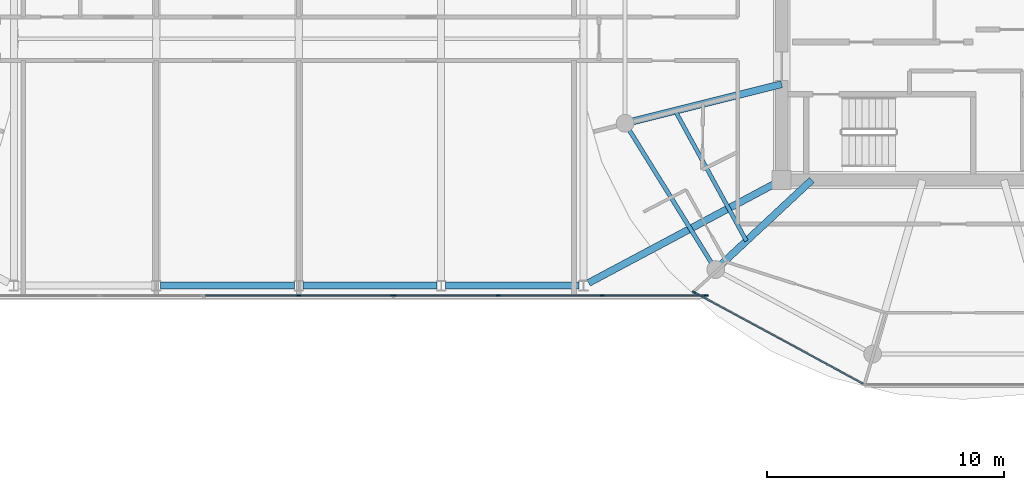
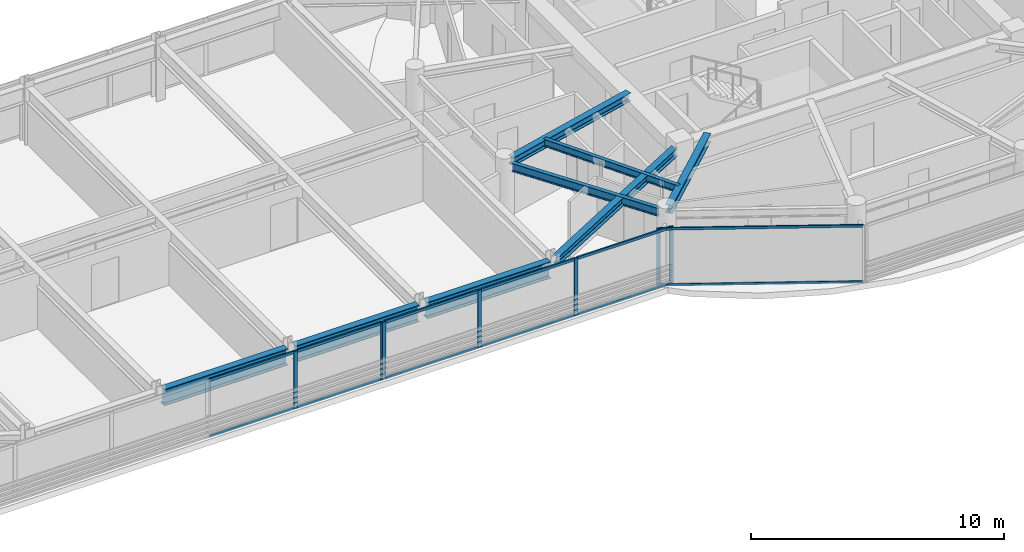
# One storey, part 6 of 23: 19 members, 8 beams, 3 elements without a shape of their own.
"""IFC4 building model written with IfcOpenShell, lengths in metres."""

from ifc_helpers import new_model, si_unit, direction, frame, origin, origin_2d, place, context, subcontext, project, spatial, rectangle, i_section, extrude, source, transform, mapped, material, layer, layer_set, material_profile, profile_set, type_object, type_shapes, element, aggregate, save


model = new_model("IFC4")

# Units and contexts
model_context = context("Model", 3, precision=1e-05, world=origin(), true_north=direction((0.0, 1.0)))
body_context = subcontext(model_context, "Body", "Model", "MODEL_VIEW")
ifc_project = project(units=[si_unit("LENGTHUNIT", "METRE"), si_unit("AREAUNIT", "SQUARE_METRE"), si_unit("VOLUMEUNIT", "CUBIC_METRE"), si_unit("PLANEANGLEUNIT", "RADIAN"), si_unit("MASSUNIT", "GRAM", prefix="KILO")], contexts=[model_context])

# Site, building, storey
site_placement = place(None, origin())
site = spatial("IfcSite", under=ifc_project, at=site_placement, CompositionType="ELEMENT")
building_placement = place(site_placement, origin())
building = spatial("IfcBuilding", under=site, at=building_placement, Name="Norrkilde Senior Care Towers", CompositionType="ELEMENT")
storey_placement = place(building_placement, frame((0.0, 0.0, 220.0)))
storey = spatial("IfcBuildingStorey", under=building, at=storey_placement, Name="L68", CompositionType="ELEMENT", Elevation=220.0)

# Beams
ifc_material_1 = material(Name="Steel S355", Category="steel")
ifc_material_profile_1 = material_profile(ifc_material_1, i_section(OverallWidth=0.179931640625, OverallDepth=0.39990234375, WebThickness=0.008544921875, FlangeThickness=0.013427734375, FilletRadius=0.02099609375, at=origin_2d()), Name="IPE 400")
ifc_profile_set_1 = profile_set([ifc_material_profile_1], Name="Steel S355")
beam_type_1 = type_object("IfcBeamType", Name="Perimeter Ring Spandrel Z4 IPE400", PredefinedType="SPANDREL", material=ifc_profile_set_1)
shared_shape_1 = source(origin(), body_context, "Body", "SweptSolid", [
    extrude(i_section(OverallWidth=0.179931640625, OverallDepth=0.39990234375, WebThickness=0.008544921875, FlangeThickness=0.013427734375, FilletRadius=0.02099609375, at=origin_2d()), origin(), (0.0, 0.0, 1.0), 6.58056640625),
])
type_shapes(beam_type_1, [shared_shape_1])
beam_1_placement = place(storey_placement, frame((13.928955078125, -3.843505859375, 2.56005859375), z_axis=(0.526529583789, -0.850156807533, 0.0), x_axis=(0.850156807533, 0.526529583789, 0.0)))
element("IfcBeam", 1, at=beam_1_placement, inside=storey, type_object=beam_type_1, Name="L68 Drum E Perimeter Spandrel 07", PredefinedType="SPANDREL", context=body_context, shape_type="MappedRepresentation", body=[
    mapped(shared_shape_1, transform((0.0, 0.0, 0.0), x_axis=(1.0, 0.0, 0.0), y_axis=(0.0, 1.0, 0.0), z_axis=(0.0, 0.0, 1.0), scale=1.0)),
])
ifc_material_profile_2 = material_profile(ifc_material_1, i_section(OverallWidth=0.300048828125, OverallDepth=0.39990234375, WebThickness=0.013427734375, FlangeThickness=0.02392578125, FilletRadius=0.027099609375, at=origin_2d()), Name="HEB 400")
ifc_profile_set_2 = profile_set([ifc_material_profile_2], Name="Steel S355")
beam_type_2 = type_object("IfcBeamType", Name="Radial Floor Beam Z4 HEB400", PredefinedType="BEAM", material=ifc_profile_set_2)
shared_shape_2 = source(origin(), body_context, "Body", "SweptSolid", [
    extrude(i_section(OverallWidth=0.300048828125, OverallDepth=0.39990234375, WebThickness=0.013427734375, FlangeThickness=0.02392578125, FilletRadius=0.027099609375, at=origin_2d()), origin(), (0.0, 0.0, 1.0), 6.465087890625),
])
beam_2_placement = place(storey_placement, frame((20.35009765625, -1.910888671875, 2.56005859375), z_axis=(-0.970195788563, -0.242322371758, 0.0), x_axis=(0.242322371758, -0.970195788563, 0.0)))
element("IfcBeam", 2, at=beam_2_placement, inside=storey, type_object=beam_type_2, Name="L68 Drum E Radial Floor Beam 07", PredefinedType="BEAM", context=body_context, shape_type="MappedRepresentation", body=[
    mapped(shared_shape_2, transform((0.0, 0.0, 0.0), x_axis=(1.0, 0.0, 0.0), y_axis=(0.0, 1.0, 0.0), z_axis=(0.0, 0.0, 1.0), scale=1.0)),
])
shared_shape_3 = source(origin(), body_context, "Body", "SweptSolid", [
    extrude(i_section(OverallWidth=0.300048828125, OverallDepth=0.39990234375, WebThickness=0.013427734375, FlangeThickness=0.02392578125, FilletRadius=0.027099609375, at=origin_2d()), origin(), (0.0, 0.0, 1.0), 5.197998046875),
])
beam_3_placement = place(storey_placement, frame((21.6171875, -5.949951171875, 2.56005859375), z_axis=(-0.731448749334, -0.681896419625, 0.0), x_axis=(0.681896419625, -0.731448749334, 0.0)))
element("IfcBeam", 3, at=beam_3_placement, inside=storey, type_object=beam_type_2, Name="L68 Drum E Radial Floor Beam 08", PredefinedType="BEAM", context=body_context, shape_type="MappedRepresentation", body=[
    mapped(shared_shape_3, transform((0.0, 0.0, 0.0), x_axis=(1.0, 0.0, 0.0), y_axis=(0.0, 1.0, 0.0), z_axis=(0.0, 0.0, 1.0), scale=1.0)),
])
ifc_material_profile_3 = material_profile(ifc_material_1, i_section(OverallWidth=0.169921875, OverallDepth=0.360107421875, WebThickness=0.008056640625, FlangeThickness=0.0126953125, FilletRadius=0.01806640625, at=origin_2d()), Name="IPE 360")
ifc_profile_set_3 = profile_set([ifc_material_profile_3], Name="Steel S355")
beam_type_3 = type_object("IfcBeamType", Name="Secondary Floor Joist IPE360", PredefinedType="JOIST", material=ifc_profile_set_3)
shared_shape_4 = source(origin(), body_context, "Body", "SweptSolid", [
    extrude(i_section(OverallWidth=0.169921875, OverallDepth=0.360107421875, WebThickness=0.008056640625, FlangeThickness=0.0126953125, FilletRadius=0.01806640625, at=origin_2d()), origin(), (0.0, 0.0, 1.0), 6.25146484375),
])
type_shapes(beam_type_3, [shared_shape_4])
beam_4_placement = place(storey_placement, frame((15.86376953125, -3.031494140625, 2.580078125), z_axis=(0.480115752653, -0.877205143655, 0.0), x_axis=(0.877205143655, 0.480115752653, 0.0)))
element("IfcBeam", 4, at=beam_4_placement, inside=storey, type_object=beam_type_3, Name="L68 Drum E Secondary Floor Joist 3", PredefinedType="JOIST", context=body_context, shape_type="MappedRepresentation", body=[
    mapped(shared_shape_4, transform((0.0, 0.0, 0.0), x_axis=(1.0, 0.0, 0.0), y_axis=(0.0, 1.0, 0.0), z_axis=(0.0, 0.0, 1.0), scale=1.0)),
])
shared_shape_5 = source(origin(), body_context, "Body", "SweptSolid", [
    extrude(i_section(OverallWidth=0.300048828125, OverallDepth=0.39990234375, WebThickness=0.013427734375, FlangeThickness=0.02392578125, FilletRadius=0.027099609375, at=origin_2d()), origin(), (0.0, 0.0, 1.0), 8.831787109375),
])
type_shapes(beam_type_2, [shared_shape_2, shared_shape_3, shared_shape_5])
beam_5_placement = place(storey_placement, frame((12.220703125, -10.282470703125, 2.56005859375), z_axis=(0.882492172381, 0.470327083727, 0.0), x_axis=(-0.470327083727, 0.882492172381, 0.0)))
element("IfcBeam", 5, at=beam_5_placement, inside=storey, type_object=beam_type_2, Name="L68 Sky-Gate Bridge Girder S6", PredefinedType="BEAM", context=body_context, shape_type="MappedRepresentation", body=[
    mapped(shared_shape_5, transform((0.0, 0.0, 0.0), x_axis=(1.0, 0.0, 0.0), y_axis=(0.0, 1.0, 0.0), z_axis=(0.0, 0.0, 1.0), scale=1.0)),
])
ifc_material_profile_4 = material_profile(ifc_material_1, i_section(OverallWidth=0.300048828125, OverallDepth=0.800048828125, WebThickness=0.017578125, FlangeThickness=0.032958984375, FilletRadius=0.030029296875, at=origin_2d()), Name="HEB 800")
ifc_profile_set_4 = profile_set([ifc_material_profile_4], Name="Steel S355")
beam_type_4 = type_object("IfcBeamType", Name="Bridge Floor Girder HEB800", PredefinedType="USERDEFINED", material=ifc_profile_set_4)
shared_shape_6 = source(origin(), body_context, "Body", "SweptSolid", [
    extrude(i_section(OverallWidth=0.300048828125, OverallDepth=0.800048828125, WebThickness=0.017578125, FlangeThickness=0.032958984375, FilletRadius=0.030029296875, at=origin_2d()), origin(), (0.0, 0.0, 1.0), 5.64013671875),
])
type_shapes(beam_type_4, [shared_shape_6])
for number, where, z_axis, x_axis, name in (
    (6, (-5.820068359375, -10.39990234375, 2.360107421875), (1.0, 0.0, 0.0), (0.0, 1.0, 0.0), "L68 Sky-Gate Bridge Girder S3"),
    (7, (0.179931640625, -10.39990234375, 2.360107421875), (1.0, 0.0, 0.0), (0.0, 1.0, 0.0), "L68 Sky-Gate Bridge Girder S4"),
    (8, (6.179931640625, -10.39990234375, 2.360107421875), (1.0, 0.0, 0.0), (0.0, 1.0, 0.0), "L68 Sky-Gate Bridge Girder S5"),
):
    element("IfcBeam", number, at=place(storey_placement, frame(where, z_axis=z_axis, x_axis=x_axis)), inside=storey, type_object=beam_type_4, Name=name, ObjectType="GIRDER", PredefinedType="USERDEFINED", context=body_context, shape_type="MappedRepresentation", body=[
        mapped(shared_shape_6, transform((0.0, 0.0, 0.0), x_axis=(1.0, 0.0, 0.0), y_axis=(0.0, 1.0, 0.0), z_axis=(0.0, 0.0, 1.0), scale=1.0)),
    ])

# Curtain wall, members
ifc_material_2 = material(Name="Triple Low-E Insulated Glazing", Category="glass")
ifc_layer_1 = layer(ifc_material_2, 0.18505859375)
ifc_layer_set_1 = layer_set([ifc_layer_1], Name="Triple Low-E Insulated Glazing")
curtain_wall_type_1 = type_object("IfcCurtainWallType", Name="CW6 Zone 4 Crown Pavilion Curtain Wall", PredefinedType="NOTDEFINED", material=ifc_layer_set_1)
curtain_wall_1_placement = place(storey_placement, origin())
curtain_wall_1 = element("IfcCurtainWall", 9, at=curtain_wall_1_placement, inside=storey, type_object=curtain_wall_type_1, Name="L68 Drum E Curtain Wall 07", PredefinedType="NOTDEFINED")
ifc_material_3 = material(Name="Anodised Aluminium", Category="aluminium")
ifc_material_profile_5 = material_profile(ifc_material_3, rectangle(XDim=0.06005859375, YDim=0.1201171875, at=origin_2d()), Name="ALU TRAN 60x120")
ifc_profile_set_5 = profile_set([ifc_material_profile_5], Name="Anodised Aluminium")
member_type_1 = type_object("IfcMemberType", Name="Curtain Wall Transom Typical 60x120", PredefinedType="USERDEFINED", material=ifc_profile_set_5)
shared_shape_7 = source(origin(), body_context, "Body", "SweptSolid", [
    extrude(rectangle(XDim=0.06005859375, YDim=0.1201171875, at=origin_2d()), origin(), (0.0, 0.0, 1.0), 8.0673828125),
])
type_shapes(member_type_1, [shared_shape_7])
member_1_placement = place(storey_placement, frame((23.781005859375, -14.53515625, 0.030029296875), z_axis=(-0.87937750072, 0.476125205411, 0.0), x_axis=(-0.476125205411, -0.87937750072, 0.0)))
member_1 = element("IfcMember", 10, at=member_1_placement, type_object=member_type_1, Name="CW-6 transom 1.1", ObjectType="TRANSOM", PredefinedType="USERDEFINED", context=body_context, shape_type="MappedRepresentation", body=[
    mapped(shared_shape_7, transform((0.0, 0.0, 0.0), x_axis=(1.0, 0.0, 0.0), y_axis=(0.0, 1.0, 0.0), z_axis=(0.0, 0.0, 1.0), scale=1.0)),
])
member_2_placement = place(storey_placement, frame((23.781005859375, -14.53515625, 2.72998046875), z_axis=(-0.87937750072, 0.476125205411, 0.0), x_axis=(-0.476125205411, -0.87937750072, 0.0)))
member_2 = element("IfcMember", 11, at=member_2_placement, type_object=member_type_1, Name="CW-6 transom 1.2", ObjectType="TRANSOM", PredefinedType="USERDEFINED", context=body_context, shape_type="MappedRepresentation", body=[
    mapped(shared_shape_7, transform((0.0, 0.0, 0.0), x_axis=(1.0, 0.0, 0.0), y_axis=(0.0, 1.0, 0.0), z_axis=(0.0, 0.0, 1.0), scale=1.0)),
])
ifc_material_profile_6 = material_profile(ifc_material_3, rectangle(XDim=0.06494140625, YDim=0.14990234375, at=origin_2d()), Name="ALU MULL 65x150")
ifc_profile_set_6 = profile_set([ifc_material_profile_6], Name="Anodised Aluminium")
member_type_2 = type_object("IfcMemberType", Name="Curtain Wall Mullion Z3-Z4 65x150", PredefinedType="MULLION", material=ifc_profile_set_6)
shared_shape_8 = source(origin(), body_context, "Body", "SweptSolid", [
    extrude(rectangle(XDim=0.06494140625, YDim=0.14990234375, at=origin_2d()), origin(), (0.0, 0.0, 1.0), 2.760009765625),
])
type_shapes(member_type_2, [shared_shape_8])
member_3_placement = place(storey_placement, frame((16.658203125, -10.6787109375, 0.0), z_axis=(0.0, 0.0, 1.0), x_axis=(-0.476132676136, -0.879373455772, 0.0)))
member_3 = element("IfcMember", 12, at=member_3_placement, type_object=member_type_2, Name="CW-6 mullion 2", PredefinedType="MULLION", context=body_context, shape_type="MappedRepresentation", body=[
    mapped(shared_shape_8, transform((0.0, 0.0, 0.0), x_axis=(1.0, 0.0, 0.0), y_axis=(0.0, 1.0, 0.0), z_axis=(0.0, 0.0, 1.0), scale=1.0)),
])
aggregate(curtain_wall_1, [member_3, member_1, member_2])

ifc_layer_2 = layer(ifc_material_2, 0.2099609375)
ifc_layer_set_2 = layer_set([ifc_layer_2], Name="Triple Low-E Insulated Glazing")
curtain_wall_type_2 = type_object("IfcCurtainWallType", Name="CW5 Sky-Gate Bridge Curtain Wall", PredefinedType="NOTDEFINED", material=ifc_layer_set_2)
curtain_wall_2_placement = place(storey_placement, origin())
curtain_wall_2 = element("IfcCurtainWall", 13, at=curtain_wall_2_placement, inside=storey, type_object=curtain_wall_type_2, Name="L68 Sky-Gate Bridge South Curtain Wall 1", PredefinedType="NOTDEFINED")
ifc_material_profile_7 = material_profile(ifc_material_3, rectangle(XDim=0.06494140625, YDim=0.1298828125, at=origin_2d()), Name="ALU TRAN 65x130")
ifc_profile_set_7 = profile_set([ifc_material_profile_7], Name="Anodised Aluminium")
member_type_3 = type_object("IfcMemberType", Name="Curtain Wall Transom Heavy 65x130", PredefinedType="USERDEFINED", material=ifc_profile_set_7)
shared_shape_9 = source(origin(), body_context, "Body", "SweptSolid", [
    extrude(rectangle(XDim=0.06494140625, YDim=0.1298828125, at=origin_2d()), origin(), (0.0, 0.0, 1.0), 4.294921875),
])
member_4_placement = place(storey_placement, frame((17.1298828125, -10.820068359375, 0.032470703125), z_axis=(-1.0, 0.0, 0.0), x_axis=(0.0, -1.0, 0.0)))
member_4 = element("IfcMember", 14, at=member_4_placement, type_object=member_type_3, Name="CW-5 transom 1.1", ObjectType="TRANSOM", PredefinedType="USERDEFINED", context=body_context, shape_type="MappedRepresentation", body=[
    mapped(shared_shape_9, transform((0.0, 0.0, 0.0), x_axis=(1.0, 0.0, 0.0), y_axis=(0.0, 1.0, 0.0), z_axis=(0.0, 0.0, 1.0), scale=1.0)),
])
member_5_placement = place(storey_placement, frame((17.1298828125, -10.820068359375, 2.7275390625), z_axis=(-1.0, 0.0, 0.0), x_axis=(0.0, -1.0, 0.0)))
member_5 = element("IfcMember", 15, at=member_5_placement, type_object=member_type_3, Name="CW-5 transom 1.2", ObjectType="TRANSOM", PredefinedType="USERDEFINED", context=body_context, shape_type="MappedRepresentation", body=[
    mapped(shared_shape_9, transform((0.0, 0.0, 0.0), x_axis=(1.0, 0.0, 0.0), y_axis=(0.0, 1.0, 0.0), z_axis=(0.0, 0.0, 1.0), scale=1.0)),
])
member_6_placement = place(storey_placement, frame((8.364990234375, -10.820068359375, 0.032470703125), z_axis=(-1.0, 0.0, 0.0), x_axis=(0.0, -1.0, 0.0)))
member_6 = element("IfcMember", 16, at=member_6_placement, type_object=member_type_3, Name="CW-5 transom 3.1", ObjectType="TRANSOM", PredefinedType="USERDEFINED", context=body_context, shape_type="MappedRepresentation", body=[
    mapped(shared_shape_9, transform((0.0, 0.0, 0.0), x_axis=(1.0, 0.0, 0.0), y_axis=(0.0, 1.0, 0.0), z_axis=(0.0, 0.0, 1.0), scale=1.0)),
])
member_7_placement = place(storey_placement, frame((8.364990234375, -10.820068359375, 2.7275390625), z_axis=(-1.0, 0.0, 0.0), x_axis=(0.0, -1.0, 0.0)))
member_7 = element("IfcMember", 17, at=member_7_placement, type_object=member_type_3, Name="CW-5 transom 3.2", ObjectType="TRANSOM", PredefinedType="USERDEFINED", context=body_context, shape_type="MappedRepresentation", body=[
    mapped(shared_shape_9, transform((0.0, 0.0, 0.0), x_axis=(1.0, 0.0, 0.0), y_axis=(0.0, 1.0, 0.0), z_axis=(0.0, 0.0, 1.0), scale=1.0)),
])
shared_shape_10 = source(origin(), body_context, "Body", "SweptSolid", [
    extrude(rectangle(XDim=0.06494140625, YDim=0.1298828125, at=origin_2d()), origin(), (0.0, 0.0, 1.0), 4.329833984375),
])
member_8_placement = place(storey_placement, frame((12.764892578125, -10.820068359375, 0.032470703125), z_axis=(-1.0, 0.0, 0.0), x_axis=(0.0, -1.0, 0.0)))
member_8 = element("IfcMember", 18, at=member_8_placement, type_object=member_type_3, Name="CW-5 transom 2.1", ObjectType="TRANSOM", PredefinedType="USERDEFINED", context=body_context, shape_type="MappedRepresentation", body=[
    mapped(shared_shape_10, transform((0.0, 0.0, 0.0), x_axis=(1.0, 0.0, 0.0), y_axis=(0.0, 1.0, 0.0), z_axis=(0.0, 0.0, 1.0), scale=1.0)),
])
member_9_placement = place(storey_placement, frame((12.764892578125, -10.820068359375, 2.7275390625), z_axis=(-1.0, 0.0, 0.0), x_axis=(0.0, -1.0, 0.0)))
member_9 = element("IfcMember", 19, at=member_9_placement, type_object=member_type_3, Name="CW-5 transom 2.2", ObjectType="TRANSOM", PredefinedType="USERDEFINED", context=body_context, shape_type="MappedRepresentation", body=[
    mapped(shared_shape_10, transform((0.0, 0.0, 0.0), x_axis=(1.0, 0.0, 0.0), y_axis=(0.0, 1.0, 0.0), z_axis=(0.0, 0.0, 1.0), scale=1.0)),
])

curtain_wall_3_placement = place(storey_placement, origin())
curtain_wall_3 = element("IfcCurtainWall", 20, at=curtain_wall_3_placement, inside=storey, type_object=curtain_wall_type_2, Name="L68 Sky-Gate Bridge South Curtain Wall 2", PredefinedType="NOTDEFINED")
shared_shape_11 = source(origin(), body_context, "Body", "SweptSolid", [
    extrude(rectangle(XDim=0.06494140625, YDim=0.1298828125, at=origin_2d()), origin(), (0.0, 0.0, 1.0), 3.89501953125),
])
type_shapes(member_type_3, [shared_shape_9, shared_shape_10, shared_shape_11])
member_10_placement = place(storey_placement, frame((3.929931640625, -10.820068359375, 0.032470703125), z_axis=(-1.0, 0.0, 0.0), x_axis=(0.0, -1.0, 0.0)))
member_10 = element("IfcMember", 21, at=member_10_placement, type_object=member_type_3, Name="CW-5 transom 1.1", ObjectType="TRANSOM", PredefinedType="USERDEFINED", context=body_context, shape_type="MappedRepresentation", body=[
    mapped(shared_shape_11, transform((0.0, 0.0, 0.0), x_axis=(1.0, 0.0, 0.0), y_axis=(0.0, 1.0, 0.0), z_axis=(0.0, 0.0, 1.0), scale=1.0)),
])
member_11_placement = place(storey_placement, frame((3.929931640625, -10.820068359375, 2.7275390625), z_axis=(-1.0, 0.0, 0.0), x_axis=(0.0, -1.0, 0.0)))
member_11 = element("IfcMember", 22, at=member_11_placement, type_object=member_type_3, Name="CW-5 transom 1.2", ObjectType="TRANSOM", PredefinedType="USERDEFINED", context=body_context, shape_type="MappedRepresentation", body=[
    mapped(shared_shape_11, transform((0.0, 0.0, 0.0), x_axis=(1.0, 0.0, 0.0), y_axis=(0.0, 1.0, 0.0), z_axis=(0.0, 0.0, 1.0), scale=1.0)),
])
member_12_placement = place(storey_placement, frame((-0.034912109375, -10.820068359375, 0.032470703125), z_axis=(-1.0, 0.0, 0.0), x_axis=(0.0, -1.0, 0.0)))
member_12 = element("IfcMember", 23, at=member_12_placement, type_object=member_type_3, Name="CW-5 transom 2.1", ObjectType="TRANSOM", PredefinedType="USERDEFINED", context=body_context, shape_type="MappedRepresentation", body=[
    mapped(shared_shape_11, transform((0.0, 0.0, 0.0), x_axis=(1.0, 0.0, 0.0), y_axis=(0.0, 1.0, 0.0), z_axis=(0.0, 0.0, 1.0), scale=1.0)),
])
member_13_placement = place(storey_placement, frame((-0.034912109375, -10.820068359375, 2.7275390625), z_axis=(-1.0, 0.0, 0.0), x_axis=(0.0, -1.0, 0.0)))
member_13 = element("IfcMember", 24, at=member_13_placement, type_object=member_type_3, Name="CW-5 transom 2.2", ObjectType="TRANSOM", PredefinedType="USERDEFINED", context=body_context, shape_type="MappedRepresentation", body=[
    mapped(shared_shape_11, transform((0.0, 0.0, 0.0), x_axis=(1.0, 0.0, 0.0), y_axis=(0.0, 1.0, 0.0), z_axis=(0.0, 0.0, 1.0), scale=1.0)),
])

# Member
ifc_material_profile_8 = material_profile(ifc_material_3, rectangle(XDim=0.070068359375, YDim=0.169921875, at=origin_2d()), Name="ALU MULL 70x170")
ifc_profile_set_8 = profile_set([ifc_material_profile_8], Name="Anodised Aluminium")
member_type_4 = type_object("IfcMemberType", Name="Curtain Wall Mullion Heavy 70x170", PredefinedType="MULLION", material=ifc_profile_set_8)
shared_shape_12 = source(origin(), body_context, "Body", "SweptSolid", [
    extrude(rectangle(XDim=0.070068359375, YDim=0.169921875, at=origin_2d()), origin(), (0.0, 0.0, 1.0), 2.760009765625),
])
type_shapes(member_type_4, [shared_shape_12])
member_14_placement = place(storey_placement, frame((17.1650390625, -10.820068359375, 0.0), z_axis=(0.0, 0.0, 1.0), x_axis=(0.0, -1.0, 0.0)))
member_14 = element("IfcMember", 25, at=member_14_placement, type_object=member_type_4, Name="CW-5 mullion 1", PredefinedType="MULLION", context=body_context, shape_type="MappedRepresentation", body=[
    mapped(shared_shape_12, transform((0.0, 0.0, 0.0), x_axis=(1.0, 0.0, 0.0), y_axis=(0.0, 1.0, 0.0), z_axis=(0.0, 0.0, 1.0), scale=1.0)),
])

member_15_placement = place(storey_placement, frame((12.800048828125, -10.820068359375, 0.0), z_axis=(0.0, 0.0, 1.0), x_axis=(0.0, -1.0, 0.0)))
member_15 = element("IfcMember", 26, at=member_15_placement, type_object=member_type_4, Name="CW-5 mullion 2", PredefinedType="MULLION", context=body_context, shape_type="MappedRepresentation", body=[
    mapped(shared_shape_12, transform((0.0, 0.0, 0.0), x_axis=(1.0, 0.0, 0.0), y_axis=(0.0, 1.0, 0.0), z_axis=(0.0, 0.0, 1.0), scale=1.0)),
])

member_16_placement = place(storey_placement, frame((8.39990234375, -10.820068359375, 0.0), z_axis=(0.0, 0.0, 1.0), x_axis=(0.0, -1.0, 0.0)))
member_16 = element("IfcMember", 27, at=member_16_placement, type_object=member_type_4, Name="CW-5 mullion 3", PredefinedType="MULLION", context=body_context, shape_type="MappedRepresentation", body=[
    mapped(shared_shape_12, transform((0.0, 0.0, 0.0), x_axis=(1.0, 0.0, 0.0), y_axis=(0.0, 1.0, 0.0), z_axis=(0.0, 0.0, 1.0), scale=1.0)),
])

member_17_placement = place(storey_placement, frame((4.034912109375, -10.820068359375, 0.0), z_axis=(0.0, 0.0, 1.0), x_axis=(0.0, -1.0, 0.0)))
member_17 = element("IfcMember", 28, at=member_17_placement, type_object=member_type_4, Name="CW-5 mullion 4", PredefinedType="MULLION", context=body_context, shape_type="MappedRepresentation", body=[
    mapped(shared_shape_12, transform((0.0, 0.0, 0.0), x_axis=(1.0, 0.0, 0.0), y_axis=(0.0, 1.0, 0.0), z_axis=(0.0, 0.0, 1.0), scale=1.0)),
])

aggregate(curtain_wall_2, [member_14, member_15, member_16, member_17, member_4, member_5, member_8, member_9, member_6, member_7])

member_18_placement = place(storey_placement, frame((3.965087890625, -10.820068359375, 0.0), z_axis=(0.0, 0.0, 1.0), x_axis=(0.0, -1.0, 0.0)))
member_18 = element("IfcMember", 29, at=member_18_placement, type_object=member_type_4, Name="CW-5 mullion 1", PredefinedType="MULLION", context=body_context, shape_type="MappedRepresentation", body=[
    mapped(shared_shape_12, transform((0.0, 0.0, 0.0), x_axis=(1.0, 0.0, 0.0), y_axis=(0.0, 1.0, 0.0), z_axis=(0.0, 0.0, 1.0), scale=1.0)),
])

member_19_placement = place(storey_placement, frame((0.0, -10.820068359375, 0.0), z_axis=(0.0, 0.0, 1.0), x_axis=(0.0, -1.0, 0.0)))
member_19 = element("IfcMember", 30, at=member_19_placement, type_object=member_type_4, Name="CW-5 mullion 2", PredefinedType="MULLION", context=body_context, shape_type="MappedRepresentation", body=[
    mapped(shared_shape_12, transform((0.0, 0.0, 0.0), x_axis=(1.0, 0.0, 0.0), y_axis=(0.0, 1.0, 0.0), z_axis=(0.0, 0.0, 1.0), scale=1.0)),
])

aggregate(curtain_wall_3, [member_18, member_19, member_10, member_11, member_12, member_13])

save(model, "model.ifc")
